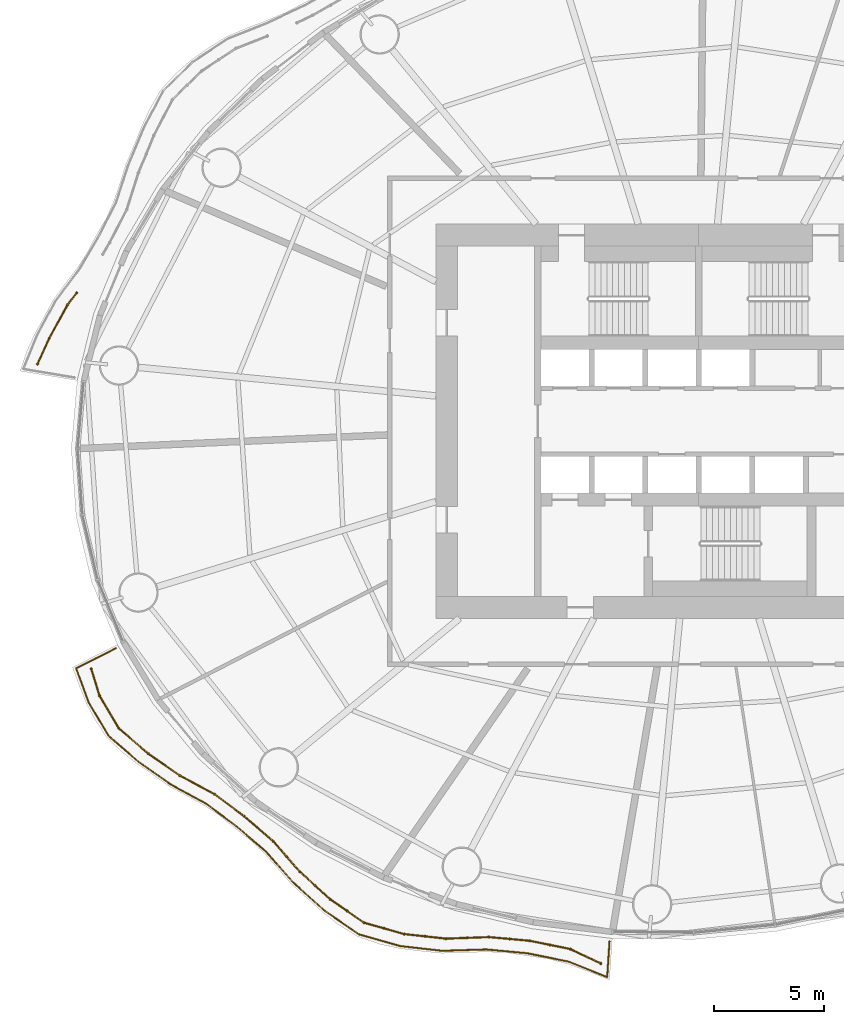
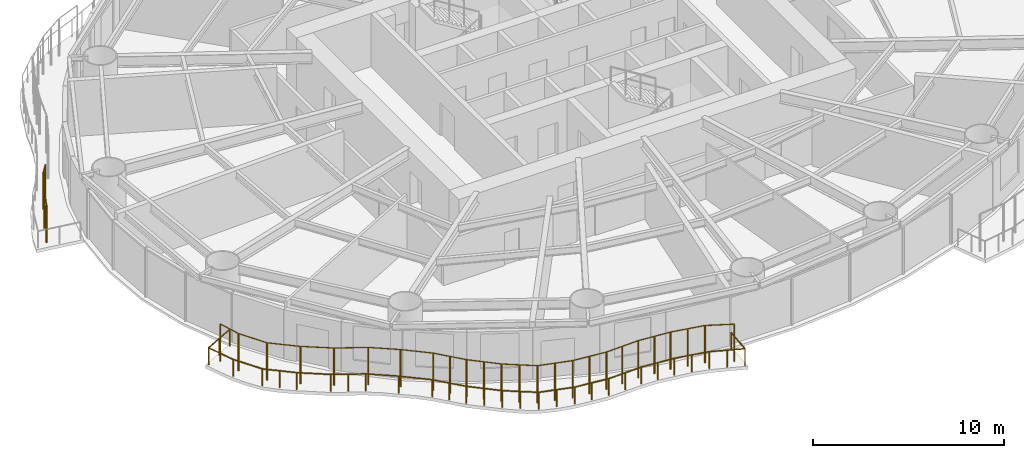
# One storey, part 12 of 16: 3 railings.
"""IFC4 building model written with IfcOpenShell, lengths in metres."""

from ifc_helpers import new_model, si_unit, direction, frame, origin, origin_2d, place, context, subcontext, project, spatial, circle, extrude, material, type_object, element, save


model = new_model("IFC4")

# Units and contexts
model_context = context("Model", 3, precision=1e-05, world=origin(), true_north=direction((0.0, 1.0)))
body_context = subcontext(model_context, "Body", "Model", "MODEL_VIEW")
ifc_project = project(units=[si_unit("LENGTHUNIT", "METRE"), si_unit("AREAUNIT", "SQUARE_METRE"), si_unit("VOLUMEUNIT", "CUBIC_METRE"), si_unit("PLANEANGLEUNIT", "RADIAN"), si_unit("MASSUNIT", "GRAM", prefix="KILO")], contexts=[model_context])

# Site, building, storey
site_placement = place(None, origin())
site = spatial("IfcSite", under=ifc_project, at=site_placement, CompositionType="ELEMENT")
building_placement = place(site_placement, origin())
building = spatial("IfcBuilding", under=site, at=building_placement, Name="Vermilion Reach Broadcast Tower", CompositionType="ELEMENT")
storey_placement = place(building_placement, frame((0.0, 0.0, 69.300048828125)))
storey = spatial("IfcBuildingStorey", under=building, at=storey_placement, Name="L14", CompositionType="ELEMENT", Elevation=69.300048828125)

# Railings
ifc_material_1 = material(Name="Terracotta baguette", Category="masonry")
railing_type_1 = type_object("IfcRailingType", Name="BAGUETTE SCREEN", PredefinedType="USERDEFINED", material=ifc_material_1)
railing_1_placement = place(storey_placement, frame((-34.3994140625, 5.85546875, 0.0)))
element("IfcRailing", 1, at=railing_1_placement, inside=storey, type_object=railing_type_1, Name="Baguette screen L14 group 2 part 3", ObjectType="BAGUETTE SCREEN", PredefinedType="USERDEFINED", context=body_context, shape_type="SweptSolid", body=[
    extrude(circle(Radius=0.030029296875, at=origin_2d()), frame((0.0, 0.0, 2.369873046875), z_axis=(-0.606583780522, -0.79501957033, 0.0), x_axis=(0.79501957033, -0.606583780522, 0.0)), (0.0, 0.0, 1.0), 0.68017578125),
    extrude(circle(Radius=0.030029296875, at=origin_2d()), frame((-0.41259765625, -0.540771484375, 2.369873046875), z_axis=(-0.480087209009, -0.877220765683, 0.0), x_axis=(0.877220765683, -0.480087209009, 0.0)), (0.0, 0.0, 1.0), 1.73046875),
    extrude(circle(Radius=0.030029296875, at=origin_2d()), frame((-1.243408203125, -2.058837890625, 2.369873046875), z_axis=(-0.416596633567, -0.909091439241, 0.0), x_axis=(0.909091439241, -0.416596633567, 0.0)), (0.0, 0.0, 1.0), 1.302734375),
    extrude(circle(Radius=0.050048828125, at=origin_2d()), origin(), (0.0, 0.0, 1.0), 2.33984375),
    extrude(circle(Radius=0.050048828125, at=origin_2d()), frame((-0.41259765625, -0.540771484375, 0.0)), (0.0, 0.0, 1.0), 2.33984375),
    extrude(circle(Radius=0.050048828125, at=origin_2d()), frame((-1.243408203125, -2.058837890625, 0.0)), (0.0, 0.0, 1.0), 2.33984375),
    extrude(circle(Radius=0.050048828125, at=origin_2d()), frame((-1.7861328125, -3.2431640625, 0.0)), (0.0, 0.0, 1.0), 2.33984375),
])
railing_2_placement = place(storey_placement, frame((-33.734130859375, -11.303466796875, 0.0)))
element("IfcRailing", 2, at=railing_2_placement, inside=storey, type_object=railing_type_1, Name="Baguette screen L14 group 3", ObjectType="BAGUETTE SCREEN", PredefinedType="USERDEFINED", context=body_context, shape_type="SweptSolid", body=[
    extrude(circle(Radius=0.030029296875, at=origin_2d()), frame((0.0, 0.0, 2.369873046875), z_axis=(0.296065978209, -0.955167491358, 0.0), x_axis=(0.955167491358, 0.296065978209, 0.0)), (0.0, 0.0, 1.0), 1.29052734375),
    extrude(circle(Radius=0.030029296875, at=origin_2d()), frame((0.382080078125, -1.232666015625, 2.369873046875), z_axis=(0.50837592764, -0.861135248492, 0.0), x_axis=(0.861135248492, 0.50837592764, 0.0)), (0.0, 0.0, 1.0), 1.72265625),
    extrude(circle(Radius=0.030029296875, at=origin_2d()), frame((1.2578125, -2.716064453125, 2.369873046875), z_axis=(0.758714682439, -0.651423081148, 0.0), x_axis=(0.651423081148, 0.758714682439, 0.0)), (0.0, 0.0, 1.0), 1.78173828125),
    extrude(circle(Radius=0.030029296875, at=origin_2d()), frame((2.609619140625, -3.876708984375, 2.369873046875), z_axis=(0.821176663213, -0.570674064413, 0.0), x_axis=(0.570674064413, 0.821176663213, 0.0)), (0.0, 0.0, 1.0), 1.75927734375),
    extrude(circle(Radius=0.030029296875, at=origin_2d()), frame((4.05419921875, -4.880615234375, 2.369873046875), z_axis=(0.881743701048, -0.471728784008, 0.0), x_axis=(0.471728784008, 0.881743701048, 0.0)), (0.0, 0.0, 1.0), 1.7880859375),
    extrude(circle(Radius=0.030029296875, at=origin_2d()), frame((5.630859375, -5.72412109375, 2.369873046875), z_axis=(0.802305255926, -0.596913960562, 0.0), x_axis=(0.596913960562, 0.802305255926, 0.0)), (0.0, 0.0, 1.0), 1.698486328125),
    extrude(circle(Radius=0.030029296875, at=origin_2d()), frame((6.99365234375, -6.738037109375, 2.369873046875), z_axis=(0.757951345558, -0.652311089716, 0.0), x_axis=(0.652311089716, 0.757951345558, 0.0)), (0.0, 0.0, 1.0), 1.744873046875),
    extrude(circle(Radius=0.030029296875, at=origin_2d()), frame((8.316162109375, -7.876220703125, 2.369873046875), z_axis=(0.656814950819, -0.754051802187, 0.0), x_axis=(0.754051802187, 0.656814950819, 0.0)), (0.0, 0.0, 1.0), 1.832763671875),
    extrude(circle(Radius=0.030029296875, at=origin_2d()), frame((9.52001953125, -9.25830078125, 2.369873046875), z_axis=(0.740426541887, -0.672137289599, 0.0), x_axis=(0.672137289599, 0.740426541887, 0.0)), (0.0, 0.0, 1.0), 1.884033203125),
    extrude(circle(Radius=0.030029296875, at=origin_2d()), frame((10.9150390625, -10.524658203125, 2.369873046875), z_axis=(0.821826766028, -0.569737454131, 0.0), x_axis=(0.569737454131, 0.821826766028, 0.0)), (0.0, 0.0, 1.0), 1.876953125),
    extrude(circle(Radius=0.030029296875, at=origin_2d()), frame((12.45751953125, -11.593994140625, 2.369873046875), z_axis=(0.962254762159, -0.272150275955, 0.0), x_axis=(0.272150275955, 0.962254762159, 0.0)), (0.0, 0.0, 1.0), 1.9072265625),
    extrude(circle(Radius=0.030029296875, at=origin_2d()), frame((14.292724609375, -12.113037109375, 2.369873046875), z_axis=(0.994094684544, -0.108516165436, 0.0), x_axis=(0.108516165436, 0.994094684544, 0.0)), (0.0, 0.0, 1.0), 1.916748046875),
    extrude(circle(Radius=0.030029296875, at=origin_2d()), frame((16.1982421875, -12.321044921875, 2.369873046875), z_axis=(0.999348879198, 0.036080710155, 0.0), x_axis=(-0.036080710155, 0.999348879198, 0.0)), (0.0, 0.0, 1.0), 1.968994140625),
    extrude(circle(Radius=0.030029296875, at=origin_2d()), frame((18.166015625, -12.25, 2.369873046875), z_axis=(0.995908178996, -0.090370896914, 0.0), x_axis=(0.090370896914, 0.995908178996, 0.0)), (0.0, 0.0, 1.0), 1.869384765625),
    extrude(circle(Radius=0.030029296875, at=origin_2d()), frame((20.02783203125, -12.4189453125, 2.369873046875), z_axis=(0.979740341102, -0.200271975117, 0.0), x_axis=(0.200271975117, 0.979740341102, 0.0)), (0.0, 0.0, 1.0), 1.8857421875),
    extrude(circle(Radius=0.030029296875, at=origin_2d()), frame((21.87548828125, -12.796630859375, 2.369873046875), z_axis=(0.903747501939, -0.428065944381, 0.0), x_axis=(0.428065944381, 0.903747501939, 0.0)), (0.0, 0.0, 1.0), 1.543212890625),
    extrude(circle(Radius=0.050048828125, at=origin_2d()), origin(), (0.0, 0.0, 1.0), 2.33984375),
    extrude(circle(Radius=0.050048828125, at=origin_2d()), frame((0.382080078125, -1.232666015625, 0.0)), (0.0, 0.0, 1.0), 2.33984375),
    extrude(circle(Radius=0.050048828125, at=origin_2d()), frame((1.2578125, -2.716064453125, 0.0)), (0.0, 0.0, 1.0), 2.33984375),
    extrude(circle(Radius=0.050048828125, at=origin_2d()), frame((2.609619140625, -3.876708984375, 0.0)), (0.0, 0.0, 1.0), 2.33984375),
    extrude(circle(Radius=0.050048828125, at=origin_2d()), frame((4.05419921875, -4.880615234375, 0.0)), (0.0, 0.0, 1.0), 2.33984375),
    extrude(circle(Radius=0.050048828125, at=origin_2d()), frame((5.630859375, -5.72412109375, 0.0)), (0.0, 0.0, 1.0), 2.33984375),
    extrude(circle(Radius=0.050048828125, at=origin_2d()), frame((6.99365234375, -6.738037109375, 0.0)), (0.0, 0.0, 1.0), 2.33984375),
    extrude(circle(Radius=0.050048828125, at=origin_2d()), frame((8.316162109375, -7.876220703125, 0.0)), (0.0, 0.0, 1.0), 2.33984375),
    extrude(circle(Radius=0.050048828125, at=origin_2d()), frame((8.91796875, -8.5673828125, 0.0)), (0.0, 0.0, 1.0), 2.33984375),
    extrude(circle(Radius=0.050048828125, at=origin_2d()), frame((9.52001953125, -9.25830078125, 0.0)), (0.0, 0.0, 1.0), 2.33984375),
    extrude(circle(Radius=0.050048828125, at=origin_2d()), frame((10.217529296875, -9.8916015625, 0.0)), (0.0, 0.0, 1.0), 2.33984375),
    extrude(circle(Radius=0.050048828125, at=origin_2d()), frame((10.9150390625, -10.524658203125, 0.0)), (0.0, 0.0, 1.0), 2.33984375),
    extrude(circle(Radius=0.050048828125, at=origin_2d()), frame((11.686279296875, -11.059326171875, 0.0)), (0.0, 0.0, 1.0), 2.33984375),
    extrude(circle(Radius=0.050048828125, at=origin_2d()), frame((12.45751953125, -11.593994140625, 0.0)), (0.0, 0.0, 1.0), 2.33984375),
    extrude(circle(Radius=0.050048828125, at=origin_2d()), frame((13.375, -11.853515625, 0.0)), (0.0, 0.0, 1.0), 2.33984375),
    extrude(circle(Radius=0.050048828125, at=origin_2d()), frame((14.292724609375, -12.113037109375, 0.0)), (0.0, 0.0, 1.0), 2.33984375),
    extrude(circle(Radius=0.050048828125, at=origin_2d()), frame((15.24560546875, -12.217041015625, 0.0)), (0.0, 0.0, 1.0), 2.33984375),
    extrude(circle(Radius=0.050048828125, at=origin_2d()), frame((16.1982421875, -12.321044921875, 0.0)), (0.0, 0.0, 1.0), 2.33984375),
    extrude(circle(Radius=0.050048828125, at=origin_2d()), frame((17.18212890625, -12.28564453125, 0.0)), (0.0, 0.0, 1.0), 2.33984375),
    extrude(circle(Radius=0.050048828125, at=origin_2d()), frame((18.166015625, -12.25, 0.0)), (0.0, 0.0, 1.0), 2.33984375),
    extrude(circle(Radius=0.050048828125, at=origin_2d()), frame((19.096923828125, -12.33447265625, 0.0)), (0.0, 0.0, 1.0), 2.33984375),
    extrude(circle(Radius=0.050048828125, at=origin_2d()), frame((20.02783203125, -12.4189453125, 0.0)), (0.0, 0.0, 1.0), 2.33984375),
    extrude(circle(Radius=0.050048828125, at=origin_2d()), frame((20.95166015625, -12.60791015625, 0.0)), (0.0, 0.0, 1.0), 2.33984375),
    extrude(circle(Radius=0.050048828125, at=origin_2d()), frame((21.87548828125, -12.796630859375, 0.0)), (0.0, 0.0, 1.0), 2.33984375),
    extrude(circle(Radius=0.050048828125, at=origin_2d()), frame((23.270263671875, -13.457275390625, 0.0)), (0.0, 0.0, 1.0), 2.33984375),
])
ifc_material_2 = material(Name="Stainless steel 316 balustrade", Category="steel")
railing_type_2 = type_object("IfcRailingType", Name="Balcony guard 1100", PredefinedType="BALUSTRADE", material=ifc_material_2)
railing_3_placement = place(storey_placement, frame((-32.614013671875, -10.371337890625, 0.0)))
element("IfcRailing", 3, at=railing_3_placement, inside=storey, type_object=railing_type_2, Name="Balcony guard L14 group 3", PredefinedType="BALUSTRADE", context=body_context, shape_type="SweptSolid", body=[
    extrude(circle(Radius=0.02490234375, at=origin_2d()), frame((0.0, 0.0, 1.0751953125), z_axis=(-0.893242563654, -0.449575046547, 0.0), x_axis=(0.449575046547, -0.893242563654, 0.0)), (0.0, 0.0, 1.0), 2.02490234375),
    extrude(circle(Radius=0.02490234375, at=origin_2d()), frame((-1.808837890625, -0.910400390625, 1.0751953125), z_axis=(0.346565589752, -0.938025741651, 0.0), x_axis=(0.938025741651, 0.346565589752, 0.0)), (0.0, 0.0, 1.0), 1.656982421875),
    extrude(circle(Radius=0.02490234375, at=origin_2d()), frame((-1.234619140625, -2.464599609375, 1.0751953125), z_axis=(0.509404464962, -0.86052721693, 0.0), x_axis=(0.86052721693, 0.509404464962, 0.0)), (0.0, 0.0, 1.0), 1.76611328125),
    extrude(circle(Radius=0.02490234375, at=origin_2d()), frame((-0.3349609375, -3.984375, 1.0751953125), z_axis=(0.75552121994, -0.655124176184, 0.0), x_axis=(0.655124176184, 0.75552121994, 0.0)), (0.0, 0.0, 1.0), 1.82373046875),
    extrude(circle(Radius=0.02490234375, at=origin_2d()), frame((1.04296875, -5.17919921875, 1.0751953125), z_axis=(0.818146843867, -0.575009340681, 0.0), x_axis=(0.575009340681, 0.818146843867, 0.0)), (0.0, 0.0, 1.0), 1.79931640625),
    extrude(circle(Radius=0.02490234375, at=origin_2d()), frame((2.51513671875, -6.2138671875, 1.0751953125), z_axis=(0.878797426473, -0.477195015925, 0.0), x_axis=(0.477195015925, 0.878797426473, 0.0)), (0.0, 0.0, 1.0), 1.828125),
    extrude(circle(Radius=0.02490234375, at=origin_2d()), frame((4.12158203125, -7.086181640625, 1.0751953125), z_axis=(0.801414014951, -0.598110003795, 0.0), x_axis=(0.598110003795, 0.801414014951, 0.0)), (0.0, 0.0, 1.0), 1.737548828125),
    extrude(circle(Radius=0.02490234375, at=origin_2d()), frame((5.51416015625, -8.12548828125, 1.0751953125), z_axis=(0.759092361349, -0.650982939055, 0.0), x_axis=(0.650982939055, 0.759092361349, 0.0)), (0.0, 0.0, 1.0), 1.783935546875),
    extrude(circle(Radius=0.02490234375, at=origin_2d()), frame((6.868408203125, -9.286865234375, 1.0751953125), z_axis=(0.661007772182, -0.750379054288, 0.0), x_axis=(0.750379054288, 0.661007772182, 0.0)), (0.0, 0.0, 1.0), 1.868408203125),
    extrude(circle(Radius=0.02490234375, at=origin_2d()), frame((8.103515625, -10.68896484375, 1.0751953125), z_axis=(0.743496407389, -0.668739928671, 0.0), x_axis=(0.668739928671, 0.743496407389, 0.0)), (0.0, 0.0, 1.0), 1.92041015625),
    extrude(circle(Radius=0.02490234375, at=origin_2d()), frame((9.53125, -11.97314453125, 1.0751953125), z_axis=(0.823546046379, -0.56724942441, 0.0), x_axis=(0.56724942441, 0.823546046379, 0.0)), (0.0, 0.0, 1.0), 1.911865234375),
    extrude(circle(Radius=0.02490234375, at=origin_2d()), frame((11.105712890625, -13.0576171875, 1.0751953125), z_axis=(0.961722915847, -0.274023782061, 0.0), x_axis=(0.274023782061, 0.961722915847, 0.0)), (0.0, 0.0, 1.0), 1.9423828125),
    extrude(circle(Radius=0.02490234375, at=origin_2d()), frame((12.9736328125, -13.58984375, 1.0751953125), z_axis=(0.993674336954, -0.112300098305, 0.0), x_axis=(0.112300098305, 0.993674336954, 0.0)), (0.0, 0.0, 1.0), 1.9501953125),
    extrude(circle(Radius=0.02490234375, at=origin_2d()), frame((14.911376953125, -13.808837890625, 1.0751953125), z_axis=(0.9995121951, 0.031230943726, 0.0), x_axis=(-0.031230943726, 0.9995121951, 0.0)), (0.0, 0.0, 1.0), 2.001220703125),
    extrude(circle(Radius=0.02490234375, at=origin_2d()), frame((16.91162109375, -13.746337890625, 1.0751953125), z_axis=(0.995732815002, -0.09228304898, 0.0), x_axis=(0.09228304898, 0.995732815002, 0.0)), (0.0, 0.0, 1.0), 1.902099609375),
    extrude(circle(Radius=0.02490234375, at=origin_2d()), frame((18.8056640625, -13.921875, 1.0751953125), z_axis=(0.979914328297, -0.199418928888, 0.0), x_axis=(0.199418928888, 0.979914328297, 0.0)), (0.0, 0.0, 1.0), 1.91845703125),
    extrude(circle(Radius=0.02490234375, at=origin_2d()), frame((20.685546875, -14.304443359375, 1.0751953125), z_axis=(0.928164547746, -0.372170085185, 0.0), x_axis=(0.372170085185, 0.928164547746, 0.0)), (0.0, 0.0, 1.0), 1.889892578125),
    extrude(circle(Radius=0.02490234375, at=origin_2d()), frame((22.439697265625, -15.0078125, 1.0751953125), z_axis=(0.065643630416, 0.997843130851, 0.0), x_axis=(-0.997843130851, 0.065643630416, 0.0)), (0.0, 0.0, 1.0), 1.62890625),
    extrude(circle(Radius=0.02490234375, at=origin_2d()), origin(), (0.0, 0.0, 1.0), 1.050048828125),
    extrude(circle(Radius=0.02490234375, at=origin_2d()), frame((-0.904296875, -0.455078125, 0.0)), (0.0, 0.0, 1.0), 1.050048828125),
    extrude(circle(Radius=0.02490234375, at=origin_2d()), frame((-1.808837890625, -0.910400390625, 0.0)), (0.0, 0.0, 1.0), 1.050048828125),
    extrude(circle(Radius=0.02490234375, at=origin_2d()), frame((-1.234619140625, -2.464599609375, 0.0)), (0.0, 0.0, 1.0), 1.050048828125),
    extrude(circle(Radius=0.02490234375, at=origin_2d()), frame((-0.3349609375, -3.984375, 0.0)), (0.0, 0.0, 1.0), 1.050048828125),
    extrude(circle(Radius=0.02490234375, at=origin_2d()), frame((0.35400390625, -4.581787109375, 0.0)), (0.0, 0.0, 1.0), 1.050048828125),
    extrude(circle(Radius=0.02490234375, at=origin_2d()), frame((1.04296875, -5.17919921875, 0.0)), (0.0, 0.0, 1.0), 1.050048828125),
    extrude(circle(Radius=0.02490234375, at=origin_2d()), frame((2.51513671875, -6.2138671875, 0.0)), (0.0, 0.0, 1.0), 1.050048828125),
    extrude(circle(Radius=0.02490234375, at=origin_2d()), frame((3.318359375, -6.64990234375, 0.0)), (0.0, 0.0, 1.0), 1.050048828125),
    extrude(circle(Radius=0.02490234375, at=origin_2d()), frame((4.12158203125, -7.086181640625, 0.0)), (0.0, 0.0, 1.0), 1.050048828125),
    extrude(circle(Radius=0.02490234375, at=origin_2d()), frame((5.51416015625, -8.12548828125, 0.0)), (0.0, 0.0, 1.0), 1.050048828125),
    extrude(circle(Radius=0.02490234375, at=origin_2d()), frame((6.868408203125, -9.286865234375, 0.0)), (0.0, 0.0, 1.0), 1.050048828125),
    extrude(circle(Radius=0.02490234375, at=origin_2d()), frame((7.48583984375, -9.98779296875, 0.0)), (0.0, 0.0, 1.0), 1.050048828125),
    extrude(circle(Radius=0.02490234375, at=origin_2d()), frame((8.103515625, -10.68896484375, 0.0)), (0.0, 0.0, 1.0), 1.050048828125),
    extrude(circle(Radius=0.02490234375, at=origin_2d()), frame((8.8173828125, -11.3310546875, 0.0)), (0.0, 0.0, 1.0), 1.050048828125),
    extrude(circle(Radius=0.02490234375, at=origin_2d()), frame((9.53125, -11.97314453125, 0.0)), (0.0, 0.0, 1.0), 1.050048828125),
    extrude(circle(Radius=0.02490234375, at=origin_2d()), frame((10.318359375, -12.515380859375, 0.0)), (0.0, 0.0, 1.0), 1.050048828125),
    extrude(circle(Radius=0.02490234375, at=origin_2d()), frame((11.105712890625, -13.0576171875, 0.0)), (0.0, 0.0, 1.0), 1.050048828125),
    extrude(circle(Radius=0.02490234375, at=origin_2d()), frame((12.03955078125, -13.32373046875, 0.0)), (0.0, 0.0, 1.0), 1.050048828125),
    extrude(circle(Radius=0.02490234375, at=origin_2d()), frame((12.9736328125, -13.58984375, 0.0)), (0.0, 0.0, 1.0), 1.050048828125),
    extrude(circle(Radius=0.02490234375, at=origin_2d()), frame((13.9423828125, -13.69921875, 0.0)), (0.0, 0.0, 1.0), 1.050048828125),
    extrude(circle(Radius=0.02490234375, at=origin_2d()), frame((14.911376953125, -13.808837890625, 0.0)), (0.0, 0.0, 1.0), 1.050048828125),
    extrude(circle(Radius=0.02490234375, at=origin_2d()), frame((15.91162109375, -13.777587890625, 0.0)), (0.0, 0.0, 1.0), 1.050048828125),
    extrude(circle(Radius=0.02490234375, at=origin_2d()), frame((16.91162109375, -13.746337890625, 0.0)), (0.0, 0.0, 1.0), 1.050048828125),
    extrude(circle(Radius=0.02490234375, at=origin_2d()), frame((17.858642578125, -13.833984375, 0.0)), (0.0, 0.0, 1.0), 1.050048828125),
    extrude(circle(Radius=0.02490234375, at=origin_2d()), frame((18.8056640625, -13.921875, 0.0)), (0.0, 0.0, 1.0), 1.050048828125),
    extrude(circle(Radius=0.02490234375, at=origin_2d()), frame((19.74560546875, -14.11328125, 0.0)), (0.0, 0.0, 1.0), 1.050048828125),
    extrude(circle(Radius=0.02490234375, at=origin_2d()), frame((20.685546875, -14.304443359375, 0.0)), (0.0, 0.0, 1.0), 1.050048828125),
    extrude(circle(Radius=0.02490234375, at=origin_2d()), frame((21.5625, -14.65625, 0.0)), (0.0, 0.0, 1.0), 1.050048828125),
    extrude(circle(Radius=0.02490234375, at=origin_2d()), frame((22.439697265625, -15.0078125, 0.0)), (0.0, 0.0, 1.0), 1.050048828125),
    extrude(circle(Radius=0.02490234375, at=origin_2d()), frame((22.546630859375, -13.38232421875, 0.0)), (0.0, 0.0, 1.0), 1.050048828125),
])

save(model, "model.ifc")
